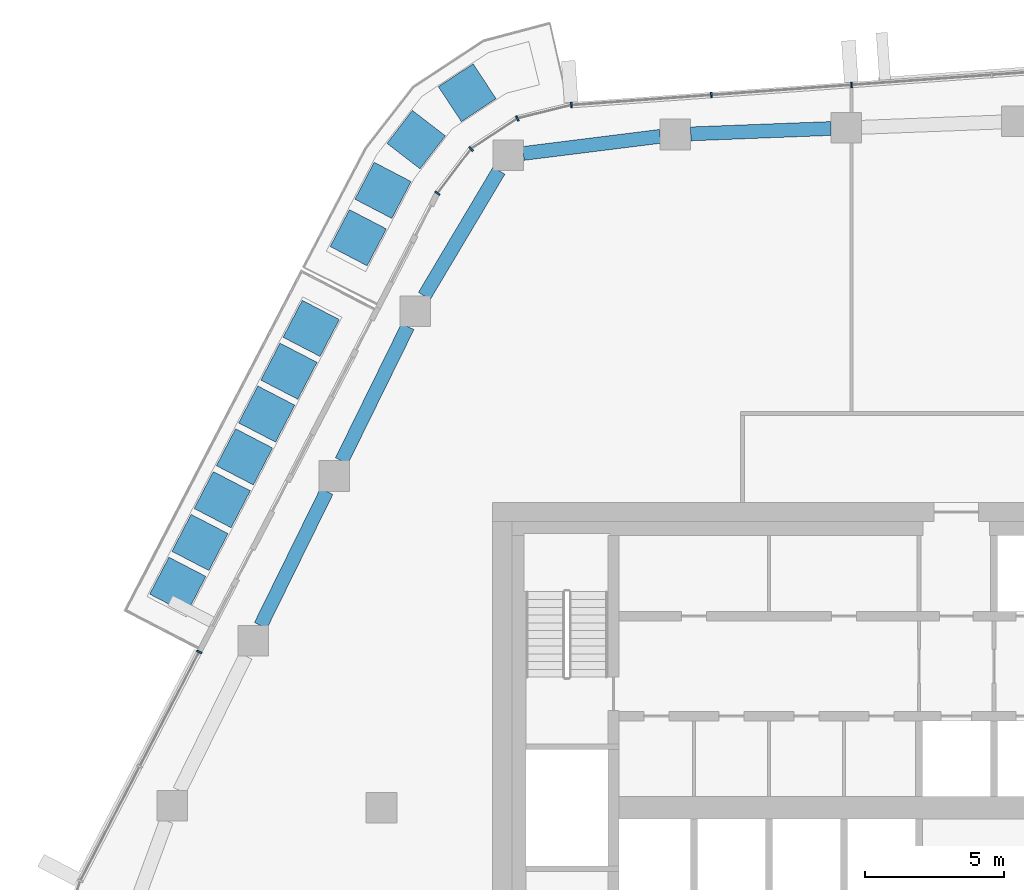
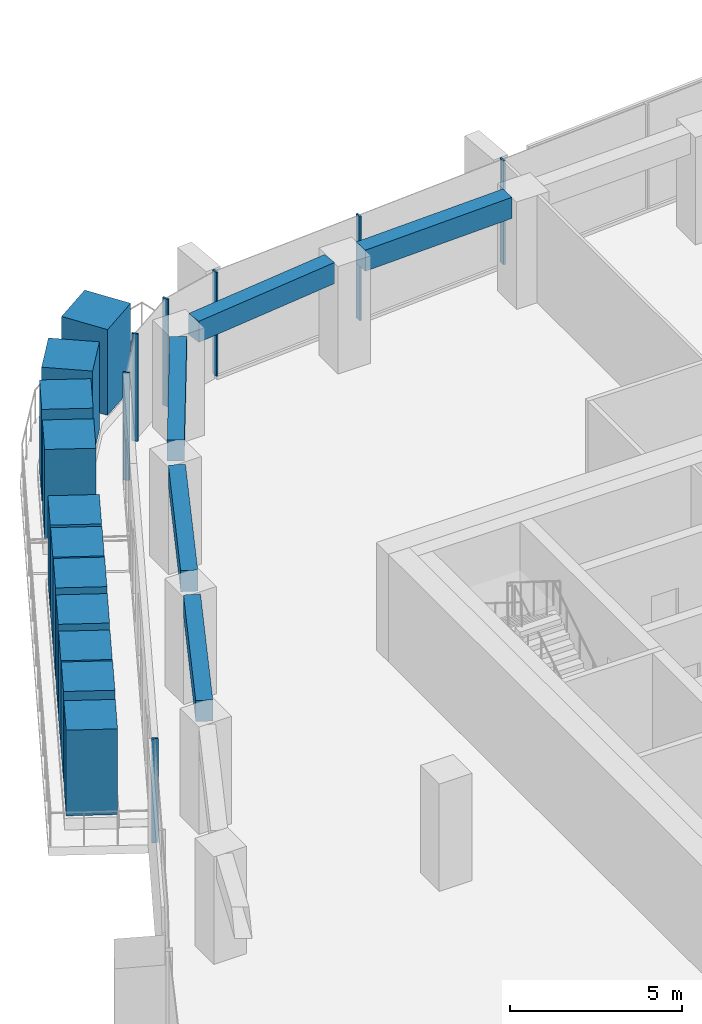
# One storey, part 7 of 21: 18 members, 5 beams, 3 elements without a shape of their own.
"""IFC4 building model written with IfcOpenShell, lengths in metres."""

from ifc_helpers import new_model, si_unit, direction, frame, origin, origin_2d, place, context, subcontext, project, spatial, rectangle, extrude, material, layer, layer_set, material_profile, profile_set, type_object, element, aggregate, save


model = new_model("IFC4")

# Units and contexts
model_context = context("Model", 3, precision=1e-05, world=origin(), true_north=direction((0.0, 1.0)))
body_context = subcontext(model_context, "Body", "Model", "MODEL_VIEW")
ifc_project = project(units=[si_unit("LENGTHUNIT", "METRE"), si_unit("AREAUNIT", "SQUARE_METRE"), si_unit("VOLUMEUNIT", "CUBIC_METRE"), si_unit("PLANEANGLEUNIT", "RADIAN"), si_unit("MASSUNIT", "GRAM", prefix="KILO")], contexts=[model_context])

# Site, building, storey
site_placement = place(None, origin())
site = spatial("IfcSite", under=ifc_project, at=site_placement, CompositionType="ELEMENT")
building_placement = place(site_placement, origin())
building = spatial("IfcBuilding", under=site, at=building_placement, Name="Dongbaek Canopy Tower", CompositionType="ELEMENT")
storey_placement = place(building_placement, frame((0.0, 0.0, 270.60009765625)))
storey = spatial("IfcBuildingStorey", under=building, at=storey_placement, Name="L57", CompositionType="ELEMENT", Elevation=270.60009765625)

# Curtain wall, members
ifc_material_1 = material(Name="Aluminium 6063-T6 pale anodised", Category="aluminium")
ifc_layer = layer(ifc_material_1, 0.199951171875)
ifc_layer_set = layer_set([ifc_layer], Name="CW-1 unitised tower curtain wall")
curtain_wall_type = type_object("IfcCurtainWallType", Name="CW-1 unitised tower curtain wall", PredefinedType="NOTDEFINED", material=ifc_layer_set)
curtain_wall_1_placement = place(storey_placement, origin())
curtain_wall_1 = element("IfcCurtainWall", 1, at=curtain_wall_1_placement, inside=storey, type_object=curtain_wall_type, Name="CW-1 curtain wall F1.1", PredefinedType="NOTDEFINED")
ifc_material_2 = material(Name="Aluminium 6063-T6 pale anodised", Category="aluminium")
ifc_material_profile_1 = material_profile(ifc_material_2, rectangle(XDim=0.199951171875, YDim=0.06005859375, at=origin_2d()), Name="CW-1 mullion 60 x 200")
ifc_profile_set_1 = profile_set([ifc_material_profile_1], Name="Aluminium 6063-T6 pale anodised")
member_type_1 = type_object("IfcMemberType", Name="CW-1 mullion 60 x 200", PredefinedType="MULLION", material=ifc_profile_set_1)
member_1_placement = place(storey_placement, frame((-1.07568359375, 26.025146484375, 0.119873046875), z_axis=(0.0, 0.0, 1.0), x_axis=(-0.07174408026, 0.997423073198, 0.0)))
member_1 = element("IfcMember", 2, at=member_1_placement, type_object=member_type_1, Name="CW-1 mullion F1.1.3", PredefinedType="MULLION", context=body_context, shape_type="SweptSolid", body=[
    extrude(rectangle(XDim=0.199951171875, YDim=0.06005859375, at=origin_2d()), origin(), (0.0, 0.0, 1.0), 3.699951171875),
])
member_2_placement = place(storey_placement, frame((-6.123046875, 25.662109375, 0.119873046875), z_axis=(0.0, 0.0, 1.0), x_axis=(-0.07174408026, 0.997423073198, 0.0)))
member_2 = element("IfcMember", 3, at=member_2_placement, type_object=member_type_1, Name="CW-1 mullion F1.1.4", PredefinedType="MULLION", context=body_context, shape_type="SweptSolid", body=[
    extrude(rectangle(XDim=0.199951171875, YDim=0.06005859375, at=origin_2d()), origin(), (0.0, 0.0, 1.0), 3.699951171875),
])
member_3_placement = place(storey_placement, frame((-11.161865234375, 25.2998046875, 0.119873046875), z_axis=(0.0, 0.0, 1.0), x_axis=(-0.07174408026, 0.997423073198, 0.0)))
member_3 = element("IfcMember", 4, at=member_3_placement, type_object=member_type_1, Name="CW-1 mullion F1.1.5", PredefinedType="MULLION", context=body_context, shape_type="SweptSolid", body=[
    extrude(rectangle(XDim=0.199951171875, YDim=0.06005859375, at=origin_2d()), origin(), (0.0, 0.0, 1.0), 3.699951171875),
])
aggregate(curtain_wall_1, [member_1, member_2, member_3])

curtain_wall_2_placement = place(storey_placement, origin())
curtain_wall_2 = element("IfcCurtainWall", 5, at=curtain_wall_2_placement, inside=storey, type_object=curtain_wall_type, Name="CW-1 curtain wall K2.1", PredefinedType="NOTDEFINED")
member_4_placement = place(storey_placement, frame((-13.10791015625, 24.819580078125, 0.0), z_axis=(0.0, 0.0, 1.0), x_axis=(-0.400265854964, 0.916399064464, 0.0)))
member_4 = element("IfcMember", 6, at=member_4_placement, type_object=member_type_1, Name="CW-1 mullion K2.1.2", PredefinedType="MULLION", context=body_context, shape_type="SweptSolid", body=[
    extrude(rectangle(XDim=0.199951171875, YDim=0.06005859375, at=origin_2d()), origin(), (0.0, 0.0, 1.0), 3.81982421875),
])
member_5_placement = place(storey_placement, frame((-14.775390625, 23.722900390625, 0.0), z_axis=(0.0, 0.0, 1.0), x_axis=(-0.682960612971, 0.730455201316, 0.0)))
member_5 = element("IfcMember", 7, at=member_5_placement, type_object=member_type_1, Name="CW-1 mullion K2.1.3", PredefinedType="MULLION", context=body_context, shape_type="SweptSolid", body=[
    extrude(rectangle(XDim=0.199951171875, YDim=0.06005859375, at=origin_2d()), origin(), (0.0, 0.0, 1.0), 3.81982421875),
])
member_6_placement = place(storey_placement, frame((-15.987060546875, 22.1259765625, 0.0), z_axis=(0.0, 0.0, 1.0), x_axis=(-0.796696055663, 0.604380174138, 0.0)))
member_6 = element("IfcMember", 8, at=member_6_placement, type_object=member_type_1, Name="CW-1 mullion K2.1.4", PredefinedType="MULLION", context=body_context, shape_type="SweptSolid", body=[
    extrude(rectangle(XDim=0.199951171875, YDim=0.06005859375, at=origin_2d()), origin(), (0.0, 0.0, 1.0), 3.81982421875),
])
aggregate(curtain_wall_2, [member_4, member_5, member_6])

# Curtain wall, member
curtain_wall_3_placement = place(storey_placement, origin())
curtain_wall_3 = element("IfcCurtainWall", 9, at=curtain_wall_3_placement, inside=storey, type_object=curtain_wall_type, Name="CW-1 curtain wall F2.1", PredefinedType="NOTDEFINED")
member_7_placement = place(storey_placement, frame((-24.560791015625, 5.616455078125, 0.119873046875), z_axis=(0.0, 0.0, 1.0), x_axis=(-0.887462222541, 0.460880465591, 0.0)))
member_7 = element("IfcMember", 10, at=member_7_placement, type_object=member_type_1, Name="CW-1 mullion F2.1.1", PredefinedType="MULLION", context=body_context, shape_type="SweptSolid", body=[
    extrude(rectangle(XDim=0.199951171875, YDim=0.06005859375, at=origin_2d()), origin(), (0.0, 0.0, 1.0), 3.699951171875),
])
aggregate(curtain_wall_3, [member_7])

# Beams
ifc_material_3 = material(Name="Concrete C70", Category="concrete")
ifc_material_profile_2 = material_profile(ifc_material_3, rectangle(XDim=0.5, YDim=0.75, at=origin_2d()), Name="RC EDGE BEAM 500x750 C70")
ifc_profile_set_2 = profile_set([ifc_material_profile_2], Name="Concrete C70")
beam_type = type_object("IfcBeamType", Name="RC EDGE BEAM 500x750 C70", PredefinedType="BEAM", material=ifc_profile_set_2)
beam_1_placement = place(storey_placement, frame((-22.350341796875, 6.56103515625, 3.44482421875), z_axis=(0.441366916234, 0.897326721576, 0.0), x_axis=(-0.897326721576, 0.441366916234, 0.0)))
element("IfcBeam", 11, at=beam_1_placement, inside=storey, type_object=beam_type, Name="EDGEBEAM:L57:10", PredefinedType="BEAM", context=body_context, shape_type="SweptSolid", body=[
    extrude(rectangle(XDim=0.5, YDim=0.75, at=origin_2d()), origin(), (0.0, 0.0, 1.0), 5.38720703125),
])
beam_2_placement = place(storey_placement, frame((-19.431396484375, 12.4951171875, 3.44482421875), z_axis=(0.441347181793, 0.89733642806, 0.0), x_axis=(-0.89733642806, 0.441347181793, 0.0)))
element("IfcBeam", 12, at=beam_2_placement, inside=storey, type_object=beam_type, Name="EDGEBEAM:L57:11", PredefinedType="BEAM", context=body_context, shape_type="SweptSolid", body=[
    extrude(rectangle(XDim=0.5, YDim=0.75, at=origin_2d()), origin(), (0.0, 0.0, 1.0), 5.3857421875),
])
beam_3_placement = place(storey_placement, frame((-16.45654296875, 18.427978515625, 3.44482421875), z_axis=(0.511587639318, 0.85923110238, 0.0), x_axis=(-0.85923110238, 0.511587639318, 0.0)))
element("IfcBeam", 13, at=beam_3_placement, inside=storey, type_object=beam_type, Name="EDGEBEAM:L57:12", PredefinedType="BEAM", context=body_context, shape_type="SweptSolid", body=[
    extrude(rectangle(XDim=0.5, YDim=0.75, at=origin_2d()), origin(), (0.0, 0.0, 1.0), 5.252197265625),
])
beam_4_placement = place(storey_placement, frame((-12.89208984375, 23.5595703125, 3.44482421875), z_axis=(0.992305840698, 0.123810817446, 0.0), x_axis=(-0.123810817446, 0.992305840698, 0.0)))
element("IfcBeam", 14, at=beam_4_placement, inside=storey, type_object=beam_type, Name="EDGEBEAM:L57:13", PredefinedType="BEAM", context=body_context, shape_type="SweptSolid", body=[
    extrude(rectangle(XDim=0.5, YDim=0.75, at=origin_2d()), origin(), (0.0, 0.0, 1.0), 4.965087890625),
])
beam_5_placement = place(storey_placement, frame((-6.864990234375, 24.26416015625, 3.44482421875), z_axis=(0.999263812988, 0.038364463397, 0.0), x_axis=(-0.038364463397, 0.999263812988, 0.0)))
element("IfcBeam", 15, at=beam_5_placement, inside=storey, type_object=beam_type, Name="EDGEBEAM:L57:14", PredefinedType="BEAM", context=body_context, shape_type="SweptSolid", body=[
    extrude(rectangle(XDim=0.5, YDim=0.75, at=origin_2d()), origin(), (0.0, 0.0, 1.0), 5.052734375),
])

# Members
ifc_material_4 = material(Name="Concrete C40/50 planter mass with planting", Category="concrete")
ifc_material_profile_3 = material_profile(ifc_material_4, rectangle(XDim=1.5, YDim=1.5, at=origin_2d()), Name="Terrace PLANTER shrub mass 1500 x 1500")
ifc_profile_set_3 = profile_set([ifc_material_profile_3], Name="Concrete C40/50 planter mass with planting")
member_type_2 = type_object("IfcMemberType", Name="Terrace PLANTER shrub mass 1500 x 1500", PredefinedType="USERDEFINED", material=ifc_profile_set_3)
member_8_placement = place(storey_placement, frame((-20.531005859375, 17.259765625, 0.419921875), z_axis=(0.0, 0.0, 1.0), x_axis=(-0.887462222541, 0.460880465591, 0.0)))
element("IfcMember", 16, at=member_8_placement, inside=storey, type_object=member_type_2, Name="Planter shrubs L57 1.1", ObjectType="PLANTER", PredefinedType="USERDEFINED", context=body_context, shape_type="SweptSolid", body=[
    extrude(rectangle(XDim=1.5, YDim=1.5, at=origin_2d()), origin(), (0.0, 0.0, 1.0), 3.050048828125),
])
member_9_placement = place(storey_placement, frame((-21.33154296875, 15.71826171875, 0.419921875), z_axis=(0.0, 0.0, 1.0), x_axis=(-0.887462222541, 0.460880465591, 0.0)))
element("IfcMember", 17, at=member_9_placement, inside=storey, type_object=member_type_2, Name="Planter shrubs L57 1.2", ObjectType="PLANTER", PredefinedType="USERDEFINED", context=body_context, shape_type="SweptSolid", body=[
    extrude(rectangle(XDim=1.5, YDim=1.5, at=origin_2d()), origin(), (0.0, 0.0, 1.0), 3.1298828125),
])
member_10_placement = place(storey_placement, frame((-22.132080078125, 14.1767578125, 0.419921875), z_axis=(0.0, 0.0, 1.0), x_axis=(-0.887462222541, 0.460880465591, 0.0)))
element("IfcMember", 18, at=member_10_placement, inside=storey, type_object=member_type_2, Name="Planter shrubs L57 1.3", ObjectType="PLANTER", PredefinedType="USERDEFINED", context=body_context, shape_type="SweptSolid", body=[
    extrude(rectangle(XDim=1.5, YDim=1.5, at=origin_2d()), origin(), (0.0, 0.0, 1.0), 3.25),
])
member_11_placement = place(storey_placement, frame((-22.9326171875, 12.63525390625, 0.419921875), z_axis=(0.0, 0.0, 1.0), x_axis=(-0.887462222541, 0.460880465591, 0.0)))
element("IfcMember", 19, at=member_11_placement, inside=storey, type_object=member_type_2, Name="Planter shrubs L57 1.4", ObjectType="PLANTER", PredefinedType="USERDEFINED", context=body_context, shape_type="SweptSolid", body=[
    extrude(rectangle(XDim=1.5, YDim=1.5, at=origin_2d()), origin(), (0.0, 0.0, 1.0), 3.169921875),
])
member_12_placement = place(storey_placement, frame((-23.733154296875, 11.09375, 0.419921875), z_axis=(0.0, 0.0, 1.0), x_axis=(-0.887462222541, 0.460880465591, 0.0)))
element("IfcMember", 20, at=member_12_placement, inside=storey, type_object=member_type_2, Name="Planter shrubs L57 1.5", ObjectType="PLANTER", PredefinedType="USERDEFINED", context=body_context, shape_type="SweptSolid", body=[
    extrude(rectangle(XDim=1.5, YDim=1.5, at=origin_2d()), origin(), (0.0, 0.0, 1.0), 3.090087890625),
])
member_13_placement = place(storey_placement, frame((-24.53369140625, 9.55224609375, 0.419921875), z_axis=(0.0, 0.0, 1.0), x_axis=(-0.887462222541, 0.460880465591, 0.0)))
element("IfcMember", 21, at=member_13_placement, inside=storey, type_object=member_type_2, Name="Planter shrubs L57 1.6", ObjectType="PLANTER", PredefinedType="USERDEFINED", context=body_context, shape_type="SweptSolid", body=[
    extrude(rectangle(XDim=1.5, YDim=1.5, at=origin_2d()), origin(), (0.0, 0.0, 1.0), 3.2099609375),
])
for number, where, z_axis, x_axis, name in (
    (22, (-25.334228515625, 8.010986328125, 0.419921875), (0.0, 0.0, 1.0), (-0.887462222541, 0.460880465591, 0.0), "Planter shrubs L57 1.7"),
    (23, (-14.912109375, 25.746337890625, 0.419921875), (0.0, 0.0, 1.0), (-0.549534962743, 0.835470720446, 0.0), "Planter shrubs L57 5.1"),
):
    element("IfcMember", number, at=place(storey_placement, frame(where, z_axis=z_axis, x_axis=x_axis)), inside=storey, type_object=member_type_2, Name=name, ObjectType="PLANTER", PredefinedType="USERDEFINED", context=body_context, shape_type="SweptSolid", body=[
        extrude(rectangle(XDim=1.5, YDim=1.5, at=origin_2d()), origin(), (0.0, 0.0, 1.0), 3.050048828125),
    ])
member_14_placement = place(storey_placement, frame((-16.74951171875, 24.05712890625, 0.419921875), z_axis=(0.0, 0.0, 1.0), x_axis=(-0.79218720502, 0.610278159697, 0.0)))
element("IfcMember", 24, at=member_14_placement, inside=storey, type_object=member_type_2, Name="Planter shrubs L57 5.2", ObjectType="PLANTER", PredefinedType="USERDEFINED", context=body_context, shape_type="SweptSolid", body=[
    extrude(rectangle(XDim=1.5, YDim=1.5, at=origin_2d()), origin(), (0.0, 0.0, 1.0), 3.1298828125),
])
member_15_placement = place(storey_placement, frame((-17.944580078125, 22.230224609375, 0.419921875), z_axis=(0.0, 0.0, 1.0), x_axis=(-0.886730010446, 0.462287668638, 0.0)))
element("IfcMember", 25, at=member_15_placement, inside=storey, type_object=member_type_2, Name="Planter shrubs L57 5.3", ObjectType="PLANTER", PredefinedType="USERDEFINED", context=body_context, shape_type="SweptSolid", body=[
    extrude(rectangle(XDim=1.5, YDim=1.5, at=origin_2d()), origin(), (0.0, 0.0, 1.0), 3.25),
])
member_16_placement = place(storey_placement, frame((-18.833740234375, 20.52490234375, 0.419921875), z_axis=(0.0, 0.0, 1.0), x_axis=(-0.886730010446, 0.462287668638, 0.0)))
element("IfcMember", 26, at=member_16_placement, inside=storey, type_object=member_type_2, Name="Planter shrubs L57 5.4", ObjectType="PLANTER", PredefinedType="USERDEFINED", context=body_context, shape_type="SweptSolid", body=[
    extrude(rectangle(XDim=1.5, YDim=1.5, at=origin_2d()), origin(), (0.0, 0.0, 1.0), 3.169921875),
])

save(model, "model.ifc")
